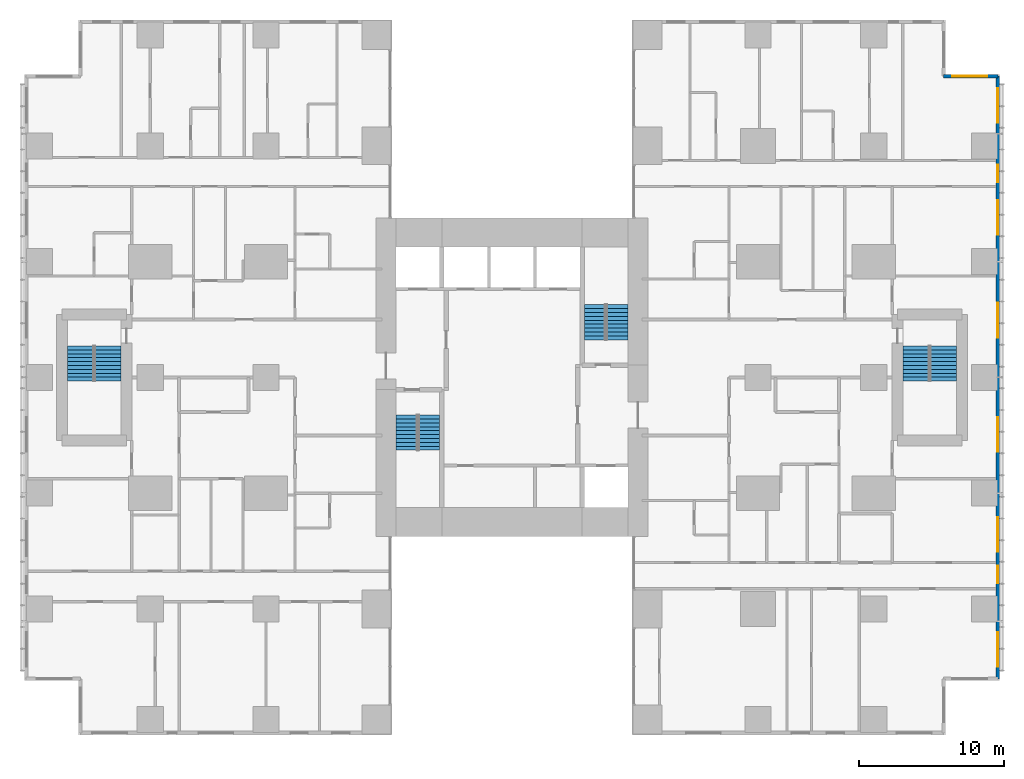
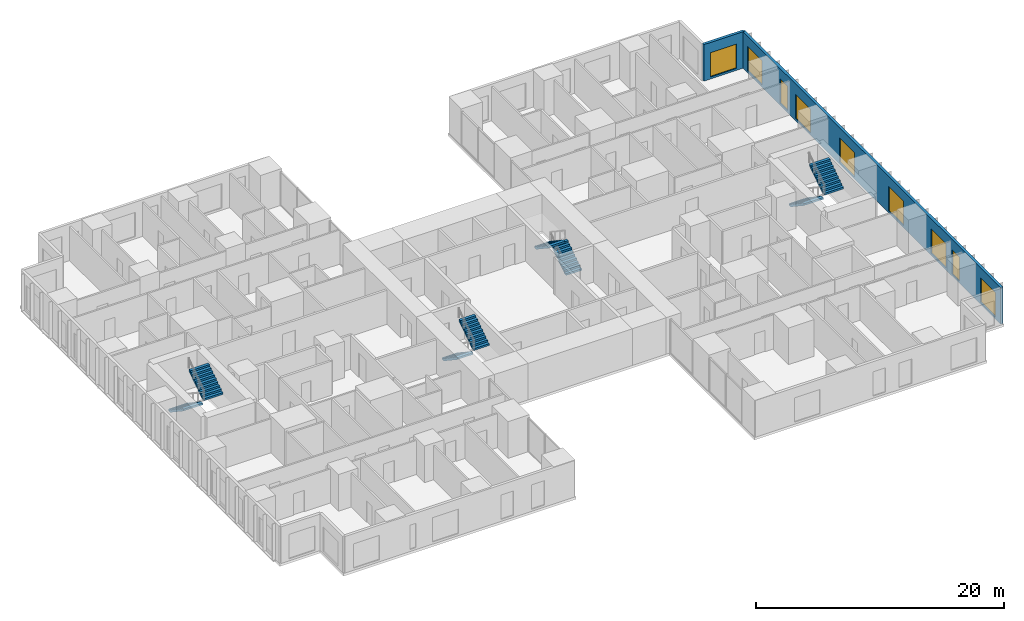
# One storey, part 19 of 20: 9 windows, 8 stair flights, 2 walls, 9 openings, 4 elements without a shape of their own.
"""IFC4 building model written with IfcOpenShell, lengths in metres."""

from ifc_helpers import new_model, si_unit, direction, frame, frame_2d, origin, place, context, subcontext, project, spatial, polyline, rectangle, outline, extrude, material, layer, layer_set, type_object, element, fill, aggregate, save


model = new_model("IFC4")

# Units and contexts
model_context = context("Model", 3, precision=1e-05, world=origin(), true_north=direction((0.0, 1.0)))
body_context = subcontext(model_context, "Body", "Model", "MODEL_VIEW")
ifc_project = project(units=[si_unit("LENGTHUNIT", "METRE"), si_unit("AREAUNIT", "SQUARE_METRE"), si_unit("VOLUMEUNIT", "CUBIC_METRE"), si_unit("PLANEANGLEUNIT", "RADIAN"), si_unit("MASSUNIT", "GRAM", prefix="KILO")], contexts=[model_context])

# Site, building, storey
site_placement = place(None, origin())
site = spatial("IfcSite", under=ifc_project, at=site_placement, CompositionType="ELEMENT")
building_placement = place(site_placement, origin())
building = spatial("IfcBuilding", under=site, at=building_placement, Name="Cleftline Residences", CompositionType="ELEMENT")
storey_placement = place(building_placement, frame((0.0, 0.0, 203.800048828125)))
storey = spatial("IfcBuildingStorey", under=building, at=storey_placement, Name="L53", CompositionType="ELEMENT", Elevation=203.800048828125)

# Wall, openings, windows
ifc_material_1 = material(Name="Rendered reinforced concrete blockwork", Category="masonry")
ifc_layer = layer(ifc_material_1, 0.25)
ifc_layer_set = layer_set([ifc_layer], Name="EXTERNAL WALL 250")
wall_type = type_object("IfcWallType", Name="EXTERNAL WALL 250", PredefinedType="SOLIDWALL", material=ifc_layer_set)
wall_1_placement = place(storey_placement, frame((66.574951171875, 3.175048828125, 0.0), z_axis=(0.0, 0.0, 1.0), x_axis=(0.0, 1.0, 0.0)))
wall_1 = element("IfcWall", 1, at=wall_1_placement, inside=storey, type_object=wall_type, Name="External wall", PredefinedType="SOLIDWALL", context=body_context, shape_type="SweptSolid", body=[
    extrude(rectangle(XDim=41.64990234375, YDim=0.25, at=frame_2d((20.824951171875, 0.0))), origin(), (0.0, 0.0, 1.0), 3.599853515625),
])
opening_1_placement = place(wall_1_placement, frame((0.824951171875, 0.0, 0.199951171875)))
opening_1 = element("IfcOpeningElement", 2, at=opening_1_placement, cuts=wall_1, Name="Opening W9", PredefinedType="OPENING", context=body_context, shape_type="SweptSolid", body=[
    extrude(rectangle(XDim=2.39990234375, YDim=2.39990234375, at=frame_2d((1.199951171875, 1.199951171875))), frame((0.0, 0.135009765625, 0.0), z_axis=(0.0, -1.0, 0.0), x_axis=(1.0, 0.0, 0.0)), (0.0, 0.0, 1.0), 0.27001953125),
])
opening_2_placement = place(wall_1_placement, frame((6.60009765625, 0.0, 0.199951171875)))
opening_2 = element("IfcOpeningElement", 3, at=opening_2_placement, cuts=wall_1, Name="Opening W13", PredefinedType="OPENING", context=body_context, shape_type="SweptSolid", body=[
    extrude(rectangle(XDim=1.199951171875, YDim=2.39990234375, at=frame_2d((0.60009765625, 1.199951171875))), frame((0.0, 0.135009765625, 0.0), z_axis=(0.0, -1.0, 0.0), x_axis=(1.0, 0.0, 0.0)), (0.0, 0.0, 1.0), 0.27001953125),
])
opening_3_placement = place(wall_1_placement, frame((8.77490234375, 0.0, 0.199951171875)))
opening_3 = element("IfcOpeningElement", 4, at=opening_3_placement, cuts=wall_1, Name="Opening W9", PredefinedType="OPENING", context=body_context, shape_type="SweptSolid", body=[
    extrude(rectangle(XDim=2.39990234375, YDim=2.39990234375, at=frame_2d((1.199951171875, 1.199951171875))), frame((0.0, 0.135009765625, 0.0), z_axis=(0.0, -1.0, 0.0), x_axis=(1.0, 0.0, 0.0)), (0.0, 0.0, 1.0), 0.27001953125),
])
opening_4_placement = place(wall_1_placement, frame((15.675048828125, 0.0, 0.199951171875)))
opening_4 = element("IfcOpeningElement", 5, at=opening_4_placement, cuts=wall_1, Name="Opening W9", PredefinedType="OPENING", context=body_context, shape_type="SweptSolid", body=[
    extrude(rectangle(XDim=2.39990234375, YDim=2.39990234375, at=frame_2d((1.199951171875, 1.199951171875))), frame((0.0, 0.135009765625, 0.0), z_axis=(0.0, -1.0, 0.0), x_axis=(1.0, 0.0, 0.0)), (0.0, 0.0, 1.0), 0.27001953125),
])
opening_5_placement = place(wall_1_placement, frame((23.574951171875, 0.0, 0.199951171875)))
opening_5 = element("IfcOpeningElement", 6, at=opening_5_placement, cuts=wall_1, Name="Opening W9", PredefinedType="OPENING", context=body_context, shape_type="SweptSolid", body=[
    extrude(rectangle(XDim=2.39990234375, YDim=2.39990234375, at=frame_2d((1.199951171875, 1.199951171875))), frame((0.0, 0.135009765625, 0.0), z_axis=(0.0, -1.0, 0.0), x_axis=(1.0, 0.0, 0.0)), (0.0, 0.0, 1.0), 0.27001953125),
])
opening_6_placement = place(wall_1_placement, frame((30.675048828125, 0.0, 0.199951171875)))
opening_6 = element("IfcOpeningElement", 7, at=opening_6_placement, cuts=wall_1, Name="Opening W9", PredefinedType="OPENING", context=body_context, shape_type="SweptSolid", body=[
    extrude(rectangle(XDim=2.39990234375, YDim=2.39990234375, at=frame_2d((1.199951171875, 1.199951171875))), frame((0.0, 0.135009765625, 0.0), z_axis=(0.0, -1.0, 0.0), x_axis=(1.0, 0.0, 0.0)), (0.0, 0.0, 1.0), 0.27001953125),
])
opening_7_placement = place(wall_1_placement, frame((34.324951171875, 0.0, 0.199951171875)))
opening_7 = element("IfcOpeningElement", 8, at=opening_7_placement, cuts=wall_1, Name="Opening W13", PredefinedType="OPENING", context=body_context, shape_type="SweptSolid", body=[
    extrude(rectangle(XDim=1.199951171875, YDim=2.39990234375, at=frame_2d((0.60009765625, 1.199951171875))), frame((0.0, 0.135009765625, 0.0), z_axis=(0.0, -1.0, 0.0), x_axis=(1.0, 0.0, 0.0)), (0.0, 0.0, 1.0), 0.27001953125),
])
opening_8_placement = place(wall_1_placement, frame((38.425048828125, 0.0, 0.199951171875)))
opening_8 = element("IfcOpeningElement", 9, at=opening_8_placement, cuts=wall_1, Name="Opening W9", PredefinedType="OPENING", context=body_context, shape_type="SweptSolid", body=[
    extrude(rectangle(XDim=2.39990234375, YDim=2.39990234375, at=frame_2d((1.199951171875, 1.199951171875))), frame((0.0, 0.135009765625, 0.0), z_axis=(0.0, -1.0, 0.0), x_axis=(1.0, 0.0, 0.0)), (0.0, 0.0, 1.0), 0.27001953125),
])
ifc_material_2 = material(Name="Aluminium frame, clear double glazing", Category="aluminium")
window_type_1 = type_object("IfcWindowType", Name="WINDOW 1200X2400", PartitioningType="DOUBLE_PANEL_VERTICAL", PredefinedType="WINDOW", material=ifc_material_2)
window_1_placement = place(opening_2_placement, origin())
window_1 = element("IfcWindow", 10, at=window_1_placement, inside=storey, type_object=window_type_1, Name="Window", OverallHeight=2.39990234375, OverallWidth=1.199951171875, PartitioningType="SINGLE_PANEL", PredefinedType="WINDOW", context=body_context, shape_type="SweptSolid", body=[
    extrude(rectangle(XDim=1.199951171875, YDim=2.39990234375, at=frame_2d((0.60009765625, 1.199951171875))), frame((0.0, 0.030029296875, 0.0), z_axis=(0.0, -1.0, 0.0), x_axis=(1.0, 0.0, 0.0)), (0.0, 0.0, 1.0), 0.06005859375),
])
fill(opening_2, window_1)
window_2_placement = place(opening_7_placement, origin())
window_2 = element("IfcWindow", 11, at=window_2_placement, inside=storey, type_object=window_type_1, Name="Window", OverallHeight=2.39990234375, OverallWidth=1.199951171875, PartitioningType="SINGLE_PANEL", PredefinedType="WINDOW", context=body_context, shape_type="SweptSolid", body=[
    extrude(rectangle(XDim=1.199951171875, YDim=2.39990234375, at=frame_2d((0.60009765625, 1.199951171875))), frame((0.0, 0.030029296875, 0.0), z_axis=(0.0, -1.0, 0.0), x_axis=(1.0, 0.0, 0.0)), (0.0, 0.0, 1.0), 0.06005859375),
])
fill(opening_7, window_2)
ifc_material_3 = material(Name="Aluminium frame, clear double glazing", Category="aluminium")
window_type_2 = type_object("IfcWindowType", Name="WINDOW 2400X2400", PartitioningType="DOUBLE_PANEL_VERTICAL", PredefinedType="WINDOW", material=ifc_material_3)
window_3_placement = place(opening_1_placement, origin())
window_3 = element("IfcWindow", 12, at=window_3_placement, inside=storey, type_object=window_type_2, Name="Window", OverallHeight=2.39990234375, OverallWidth=2.39990234375, PartitioningType="SINGLE_PANEL", PredefinedType="WINDOW", context=body_context, shape_type="SweptSolid", body=[
    extrude(rectangle(XDim=2.39990234375, YDim=2.39990234375, at=frame_2d((1.199951171875, 1.199951171875))), frame((0.0, 0.030029296875, 0.0), z_axis=(0.0, -1.0, 0.0), x_axis=(1.0, 0.0, 0.0)), (0.0, 0.0, 1.0), 0.06005859375),
])
fill(opening_1, window_3)
window_4_placement = place(opening_3_placement, origin())
window_4 = element("IfcWindow", 13, at=window_4_placement, inside=storey, type_object=window_type_2, Name="Window", OverallHeight=2.39990234375, OverallWidth=2.39990234375, PartitioningType="SINGLE_PANEL", PredefinedType="WINDOW", context=body_context, shape_type="SweptSolid", body=[
    extrude(rectangle(XDim=2.39990234375, YDim=2.39990234375, at=frame_2d((1.199951171875, 1.199951171875))), frame((0.0, 0.030029296875, 0.0), z_axis=(0.0, -1.0, 0.0), x_axis=(1.0, 0.0, 0.0)), (0.0, 0.0, 1.0), 0.06005859375),
])
fill(opening_3, window_4)
window_5_placement = place(opening_4_placement, origin())
window_5 = element("IfcWindow", 14, at=window_5_placement, inside=storey, type_object=window_type_2, Name="Window", OverallHeight=2.39990234375, OverallWidth=2.39990234375, PartitioningType="SINGLE_PANEL", PredefinedType="WINDOW", context=body_context, shape_type="SweptSolid", body=[
    extrude(rectangle(XDim=2.39990234375, YDim=2.39990234375, at=frame_2d((1.199951171875, 1.199951171875))), frame((0.0, 0.030029296875, 0.0), z_axis=(0.0, -1.0, 0.0), x_axis=(1.0, 0.0, 0.0)), (0.0, 0.0, 1.0), 0.06005859375),
])
fill(opening_4, window_5)
window_6_placement = place(opening_5_placement, origin())
window_6 = element("IfcWindow", 15, at=window_6_placement, inside=storey, type_object=window_type_2, Name="Window", OverallHeight=2.39990234375, OverallWidth=2.39990234375, PartitioningType="SINGLE_PANEL", PredefinedType="WINDOW", context=body_context, shape_type="SweptSolid", body=[
    extrude(rectangle(XDim=2.39990234375, YDim=2.39990234375, at=frame_2d((1.199951171875, 1.199951171875))), frame((0.0, 0.030029296875, 0.0), z_axis=(0.0, -1.0, 0.0), x_axis=(1.0, 0.0, 0.0)), (0.0, 0.0, 1.0), 0.06005859375),
])
fill(opening_5, window_6)
window_7_placement = place(opening_6_placement, origin())
window_7 = element("IfcWindow", 16, at=window_7_placement, inside=storey, type_object=window_type_2, Name="Window", OverallHeight=2.39990234375, OverallWidth=2.39990234375, PartitioningType="SINGLE_PANEL", PredefinedType="WINDOW", context=body_context, shape_type="SweptSolid", body=[
    extrude(rectangle(XDim=2.39990234375, YDim=2.39990234375, at=frame_2d((1.199951171875, 1.199951171875))), frame((0.0, 0.030029296875, 0.0), z_axis=(0.0, -1.0, 0.0), x_axis=(1.0, 0.0, 0.0)), (0.0, 0.0, 1.0), 0.06005859375),
])
fill(opening_6, window_7)
window_8_placement = place(opening_8_placement, origin())
window_8 = element("IfcWindow", 17, at=window_8_placement, inside=storey, type_object=window_type_2, Name="Window", OverallHeight=2.39990234375, OverallWidth=2.39990234375, PartitioningType="SINGLE_PANEL", PredefinedType="WINDOW", context=body_context, shape_type="SweptSolid", body=[
    extrude(rectangle(XDim=2.39990234375, YDim=2.39990234375, at=frame_2d((1.199951171875, 1.199951171875))), frame((0.0, 0.030029296875, 0.0), z_axis=(0.0, -1.0, 0.0), x_axis=(1.0, 0.0, 0.0)), (0.0, 0.0, 1.0), 0.06005859375),
])
fill(opening_8, window_8)

# Wall, opening, window
wall_2_placement = place(storey_placement, frame((66.574951171875, 44.824951171875, 0.0), z_axis=(0.0, 0.0, 1.0), x_axis=(-1.0, 0.0, 0.0)))
wall_2 = element("IfcWall", 18, at=wall_2_placement, inside=storey, type_object=wall_type, Name="External wall", PredefinedType="SOLIDWALL", context=body_context, shape_type="SweptSolid", body=[
    extrude(rectangle(XDim=3.75, YDim=0.25, at=frame_2d((1.875, 0.0))), origin(), (0.0, 0.0, 1.0), 3.599853515625),
])
opening_9_placement = place(wall_2_placement, frame((0.737548828125, 0.0, 0.199951171875)))
opening_9 = element("IfcOpeningElement", 19, at=opening_9_placement, cuts=wall_2, Name="Opening W9", PredefinedType="OPENING", context=body_context, shape_type="SweptSolid", body=[
    extrude(rectangle(XDim=2.39990234375, YDim=2.39990234375, at=frame_2d((1.199951171875, 1.199951171875))), frame((0.0, 0.135009765625, 0.0), z_axis=(0.0, -1.0, 0.0), x_axis=(1.0, 0.0, 0.0)), (0.0, 0.0, 1.0), 0.27001953125),
])
window_9_placement = place(opening_9_placement, origin())
window_9 = element("IfcWindow", 20, at=window_9_placement, inside=storey, type_object=window_type_2, Name="Window", OverallHeight=2.39990234375, OverallWidth=2.39990234375, PartitioningType="SINGLE_PANEL", PredefinedType="WINDOW", context=body_context, shape_type="SweptSolid", body=[
    extrude(rectangle(XDim=2.39990234375, YDim=2.39990234375, at=frame_2d((1.199951171875, 1.199951171875))), frame((0.0, 0.030029296875, 0.0), z_axis=(0.0, -1.0, 0.0), x_axis=(1.0, 0.0, 0.0)), (0.0, 0.0, 1.0), 0.06005859375),
])
fill(opening_9, window_9)

# Stair, stair flights
ifc_material_4 = material(Name="Concrete B45, stone treads", Category="masonry")
stair_type_1 = type_object("IfcStairType", Name="STAIR A 1450 WIDE 180 RISER", PredefinedType="HALF_TURN_STAIR", material=ifc_material_4)
stair_1_placement = place(storey_placement, origin())
stair_1 = element("IfcStair", 21, at=stair_1_placement, inside=storey, type_object=stair_type_1, Name="Stair A L53", PredefinedType="HALF_TURN_STAIR")
ifc_material_5 = material(Name="Concrete B45", Category="concrete")
stair_flight_type_1 = type_object("IfcStairFlightType", Name="STAIR A FLIGHT 1450X180", PredefinedType="STRAIGHT", material=ifc_material_5)
stair_flight_1_placement = place(storey_placement, frame((25.72509765625, 21.39990234375, 0.0), z_axis=(0.0, 0.0, 1.0), x_axis=(0.0, -1.0, 0.0)))
stair_flight_1 = element("IfcStairFlight", 22, at=stair_flight_1_placement, type_object=stair_flight_type_1, Name="ST-A flight 1", NumberOfRisers=10, NumberOfTreads=9, PredefinedType="STRAIGHT", RiserHeight=0.18, TreadLength=0.27, context=body_context, shape_type="SweptSolid", body=[
    extrude(outline(polyline([(0.0, 0.0), (0.0, 0.013916015625), (0.0, 0.027587890625), (0.0, 0.04150390625), (0.0, 0.055419921875), (0.0, 0.0693359375), (0.0, 0.0830078125), (0.0, 0.096923828125), (0.0, 0.11083984375), (0.0, 0.12451171875), (0.0, 0.138427734375), (0.0, 0.15234375), (0.0, 0.166259765625), (0.0, 0.179931640625), (0.27001953125, 0.179931640625), (0.27001953125, 0.360107421875), (0.5400390625, 0.360107421875), (0.5400390625, 0.5400390625), (0.81005859375, 0.5400390625), (0.81005859375, 0.719970703125), (1.080078125, 0.719970703125), (1.080078125, 0.89990234375), (1.35009765625, 0.89990234375), (1.35009765625, 1.080078125), (1.6201171875, 1.080078125), (1.6201171875, 1.260009765625), (1.889892578125, 1.260009765625), (1.889892578125, 1.43994140625), (2.159912109375, 1.43994140625), (2.159912109375, 1.6201171875), (2.429931640625, 1.6201171875), (2.429931640625, 1.800048828125), (2.429931640625, 1.772216796875), (2.429931640625, 1.74462890625), (2.429931640625, 1.716796875), (2.429931640625, 1.689208984375), (2.429931640625, 1.661376953125), (2.429931640625, 1.6337890625), (2.429931640625, 1.60595703125), (2.429931640625, 1.578369140625), (2.429931640625, 1.550537109375), (2.429931640625, 1.52294921875), (2.429931640625, 1.495361328125), (2.429931640625, 1.467529296875), (2.429931640625, 1.43994140625), (0.270263671875, 0.0), (0.0, 0.0)])), frame((0.0, 0.72509765625, 0.0), z_axis=(0.0, -1.0, 0.0), x_axis=(1.0, 0.0, 0.0)), (0.0, 0.0, 1.0), 1.449951171875),
])
stair_flight_2_placement = place(storey_placement, frame((27.27490234375, 18.969970703125, 1.800048828125), z_axis=(0.0, 0.0, 1.0), x_axis=(0.0, 1.0, 0.0)))
stair_flight_2 = element("IfcStairFlight", 23, at=stair_flight_2_placement, type_object=stair_flight_type_1, Name="ST-A flight 2", NumberOfRisers=10, NumberOfTreads=9, PredefinedType="STRAIGHT", RiserHeight=0.18, TreadLength=0.27, context=body_context, shape_type="SweptSolid", body=[
    extrude(outline(polyline([(0.0, 0.0), (0.0, 0.013916015625), (0.0, 0.027587890625), (0.0, 0.04150390625), (0.0, 0.055419921875), (0.0, 0.0693359375), (0.0, 0.0830078125), (0.0, 0.096923828125), (0.0, 0.11083984375), (0.0, 0.12451171875), (0.0, 0.138427734375), (0.0, 0.15234375), (0.0, 0.166259765625), (0.0, 0.179931640625), (0.27001953125, 0.179931640625), (0.27001953125, 0.360107421875), (0.5400390625, 0.360107421875), (0.5400390625, 0.5400390625), (0.81005859375, 0.5400390625), (0.81005859375, 0.719970703125), (1.080078125, 0.719970703125), (1.080078125, 0.89990234375), (1.35009765625, 0.89990234375), (1.35009765625, 1.080078125), (1.6201171875, 1.080078125), (1.6201171875, 1.260009765625), (1.889892578125, 1.260009765625), (1.889892578125, 1.43994140625), (2.159912109375, 1.43994140625), (2.159912109375, 1.6201171875), (2.429931640625, 1.6201171875), (2.429931640625, 1.800048828125), (2.429931640625, 1.772216796875), (2.429931640625, 1.74462890625), (2.429931640625, 1.716796875), (2.429931640625, 1.689208984375), (2.429931640625, 1.661376953125), (2.429931640625, 1.6337890625), (2.429931640625, 1.60595703125), (2.429931640625, 1.578369140625), (2.429931640625, 1.550537109375), (2.429931640625, 1.52294921875), (2.429931640625, 1.495361328125), (2.429931640625, 1.467529296875), (2.429931640625, 1.43994140625), (0.270263671875, 0.0), (0.0, 0.0)])), frame((0.0, 0.72509765625, 0.0), z_axis=(0.0, -1.0, 0.0), x_axis=(1.0, 0.0, 0.0)), (0.0, 0.0, 1.0), 1.449951171875),
])
aggregate(stair_1, [stair_flight_1, stair_flight_2])

ifc_material_6 = material(Name="Concrete B45, stone treads", Category="masonry")
stair_type_2 = type_object("IfcStairType", Name="STAIR B 1450 WIDE 180 RISER", PredefinedType="HALF_TURN_STAIR", material=ifc_material_6)
stair_2_placement = place(storey_placement, origin())
stair_2 = element("IfcStair", 24, at=stair_2_placement, inside=storey, type_object=stair_type_2, Name="Stair B L53", PredefinedType="HALF_TURN_STAIR")
ifc_material_7 = material(Name="Concrete B45", Category="concrete")
stair_flight_type_2 = type_object("IfcStairFlightType", Name="STAIR B FLIGHT 1450X180", PredefinedType="STRAIGHT", material=ifc_material_7)
stair_flight_3_placement = place(storey_placement, frame((40.27490234375, 26.60009765625, 0.0), z_axis=(0.0, 0.0, 1.0), x_axis=(0.0, 1.0, 0.0)))
stair_flight_3 = element("IfcStairFlight", 25, at=stair_flight_3_placement, type_object=stair_flight_type_2, Name="ST-B flight 1", NumberOfRisers=10, NumberOfTreads=9, PredefinedType="STRAIGHT", RiserHeight=0.18, TreadLength=0.27, context=body_context, shape_type="SweptSolid", body=[
    extrude(outline(polyline([(0.0, 0.0), (0.0, 0.013916015625), (0.0, 0.027587890625), (0.0, 0.04150390625), (0.0, 0.055419921875), (0.0, 0.0693359375), (0.0, 0.0830078125), (0.0, 0.096923828125), (0.0, 0.11083984375), (0.0, 0.12451171875), (0.0, 0.138427734375), (0.0, 0.15234375), (0.0, 0.166259765625), (0.0, 0.179931640625), (0.27001953125, 0.179931640625), (0.27001953125, 0.360107421875), (0.5400390625, 0.360107421875), (0.5400390625, 0.5400390625), (0.81005859375, 0.5400390625), (0.81005859375, 0.719970703125), (1.080078125, 0.719970703125), (1.080078125, 0.89990234375), (1.35009765625, 0.89990234375), (1.35009765625, 1.080078125), (1.6201171875, 1.080078125), (1.6201171875, 1.260009765625), (1.889892578125, 1.260009765625), (1.889892578125, 1.43994140625), (2.159912109375, 1.43994140625), (2.159912109375, 1.6201171875), (2.429931640625, 1.6201171875), (2.429931640625, 1.800048828125), (2.429931640625, 1.772216796875), (2.429931640625, 1.74462890625), (2.429931640625, 1.716796875), (2.429931640625, 1.689208984375), (2.429931640625, 1.661376953125), (2.429931640625, 1.6337890625), (2.429931640625, 1.60595703125), (2.429931640625, 1.578369140625), (2.429931640625, 1.550537109375), (2.429931640625, 1.52294921875), (2.429931640625, 1.495361328125), (2.429931640625, 1.467529296875), (2.429931640625, 1.43994140625), (0.270263671875, 0.0), (0.0, 0.0)])), frame((0.0, 0.72509765625, 0.0), z_axis=(0.0, -1.0, 0.0), x_axis=(1.0, 0.0, 0.0)), (0.0, 0.0, 1.0), 1.449951171875),
])
stair_flight_4_placement = place(storey_placement, frame((38.72509765625, 29.030029296875, 1.800048828125), z_axis=(0.0, 0.0, 1.0), x_axis=(0.0, -1.0, 0.0)))
stair_flight_4 = element("IfcStairFlight", 26, at=stair_flight_4_placement, type_object=stair_flight_type_2, Name="ST-B flight 2", NumberOfRisers=10, NumberOfTreads=9, PredefinedType="STRAIGHT", RiserHeight=0.18, TreadLength=0.27, context=body_context, shape_type="SweptSolid", body=[
    extrude(outline(polyline([(0.0, 0.0), (0.0, 0.013916015625), (0.0, 0.027587890625), (0.0, 0.04150390625), (0.0, 0.055419921875), (0.0, 0.0693359375), (0.0, 0.0830078125), (0.0, 0.096923828125), (0.0, 0.11083984375), (0.0, 0.12451171875), (0.0, 0.138427734375), (0.0, 0.15234375), (0.0, 0.166259765625), (0.0, 0.179931640625), (0.27001953125, 0.179931640625), (0.27001953125, 0.360107421875), (0.5400390625, 0.360107421875), (0.5400390625, 0.5400390625), (0.81005859375, 0.5400390625), (0.81005859375, 0.719970703125), (1.080078125, 0.719970703125), (1.080078125, 0.89990234375), (1.35009765625, 0.89990234375), (1.35009765625, 1.080078125), (1.6201171875, 1.080078125), (1.6201171875, 1.260009765625), (1.889892578125, 1.260009765625), (1.889892578125, 1.43994140625), (2.159912109375, 1.43994140625), (2.159912109375, 1.6201171875), (2.429931640625, 1.6201171875), (2.429931640625, 1.800048828125), (2.429931640625, 1.772216796875), (2.429931640625, 1.74462890625), (2.429931640625, 1.716796875), (2.429931640625, 1.689208984375), (2.429931640625, 1.661376953125), (2.429931640625, 1.6337890625), (2.429931640625, 1.60595703125), (2.429931640625, 1.578369140625), (2.429931640625, 1.550537109375), (2.429931640625, 1.52294921875), (2.429931640625, 1.495361328125), (2.429931640625, 1.467529296875), (2.429931640625, 1.43994140625), (0.270263671875, 0.0), (0.0, 0.0)])), frame((0.0, 0.72509765625, 0.0), z_axis=(0.0, -1.0, 0.0), x_axis=(1.0, 0.0, 0.0)), (0.0, 0.0, 1.0), 1.449951171875),
])
aggregate(stair_2, [stair_flight_3, stair_flight_4])

ifc_material_8 = material(Name="Concrete B45, stone treads", Category="masonry")
stair_type_3 = type_object("IfcStairType", Name="STAIR E 1800 WIDE 180 RISER", PredefinedType="HALF_TURN_STAIR", material=ifc_material_8)
stair_3_placement = place(storey_placement, origin())
stair_3 = element("IfcStair", 27, at=stair_3_placement, inside=storey, type_object=stair_type_3, Name="Stair E L53", PredefinedType="HALF_TURN_STAIR")
ifc_material_9 = material(Name="Concrete B45", Category="concrete")
stair_flight_type_3 = type_object("IfcStairFlightType", Name="STAIR E FLIGHT 1800X180", PredefinedType="STRAIGHT", material=ifc_material_9)
stair_flight_5_placement = place(storey_placement, frame((60.925048828125, 26.175048828125, 0.0), z_axis=(0.0, 0.0, 1.0), x_axis=(0.0, -1.0, 0.0)))
stair_flight_5 = element("IfcStairFlight", 28, at=stair_flight_5_placement, type_object=stair_flight_type_3, Name="ST-E flight 1", NumberOfRisers=10, NumberOfTreads=9, PredefinedType="STRAIGHT", RiserHeight=0.18, TreadLength=0.27, context=body_context, shape_type="SweptSolid", body=[
    extrude(outline(polyline([(0.0, 0.0), (0.0, 0.013916015625), (0.0, 0.027587890625), (0.0, 0.04150390625), (0.0, 0.055419921875), (0.0, 0.0693359375), (0.0, 0.0830078125), (0.0, 0.096923828125), (0.0, 0.11083984375), (0.0, 0.12451171875), (0.0, 0.138427734375), (0.0, 0.15234375), (0.0, 0.166259765625), (0.0, 0.179931640625), (0.27001953125, 0.179931640625), (0.27001953125, 0.360107421875), (0.5400390625, 0.360107421875), (0.5400390625, 0.5400390625), (0.81005859375, 0.5400390625), (0.81005859375, 0.719970703125), (1.080078125, 0.719970703125), (1.080078125, 0.89990234375), (1.35009765625, 0.89990234375), (1.35009765625, 1.080078125), (1.6201171875, 1.080078125), (1.6201171875, 1.260009765625), (1.889892578125, 1.260009765625), (1.889892578125, 1.43994140625), (2.159912109375, 1.43994140625), (2.159912109375, 1.6201171875), (2.429931640625, 1.6201171875), (2.429931640625, 1.800048828125), (2.429931640625, 1.772216796875), (2.429931640625, 1.74462890625), (2.429931640625, 1.716796875), (2.429931640625, 1.689208984375), (2.429931640625, 1.661376953125), (2.429931640625, 1.6337890625), (2.429931640625, 1.60595703125), (2.429931640625, 1.578369140625), (2.429931640625, 1.550537109375), (2.429931640625, 1.52294921875), (2.429931640625, 1.495361328125), (2.429931640625, 1.467529296875), (2.429931640625, 1.43994140625), (0.270263671875, 0.0), (0.0, 0.0)])), frame((0.0, 0.89990234375, 0.0), z_axis=(0.0, -1.0, 0.0), x_axis=(1.0, 0.0, 0.0)), (0.0, 0.0, 1.0), 1.800048828125),
])
stair_flight_6_placement = place(storey_placement, frame((62.824951171875, 23.7451171875, 1.800048828125), z_axis=(0.0, 0.0, 1.0), x_axis=(0.0, 1.0, 0.0)))
stair_flight_6 = element("IfcStairFlight", 29, at=stair_flight_6_placement, type_object=stair_flight_type_3, Name="ST-E flight 2", NumberOfRisers=10, NumberOfTreads=9, PredefinedType="STRAIGHT", RiserHeight=0.18, TreadLength=0.27, context=body_context, shape_type="SweptSolid", body=[
    extrude(outline(polyline([(0.0, 0.0), (0.0, 0.013916015625), (0.0, 0.027587890625), (0.0, 0.04150390625), (0.0, 0.055419921875), (0.0, 0.0693359375), (0.0, 0.0830078125), (0.0, 0.096923828125), (0.0, 0.11083984375), (0.0, 0.12451171875), (0.0, 0.138427734375), (0.0, 0.15234375), (0.0, 0.166259765625), (0.0, 0.179931640625), (0.27001953125, 0.179931640625), (0.27001953125, 0.360107421875), (0.5400390625, 0.360107421875), (0.5400390625, 0.5400390625), (0.81005859375, 0.5400390625), (0.81005859375, 0.719970703125), (1.080078125, 0.719970703125), (1.080078125, 0.89990234375), (1.35009765625, 0.89990234375), (1.35009765625, 1.080078125), (1.6201171875, 1.080078125), (1.6201171875, 1.260009765625), (1.889892578125, 1.260009765625), (1.889892578125, 1.43994140625), (2.159912109375, 1.43994140625), (2.159912109375, 1.6201171875), (2.429931640625, 1.6201171875), (2.429931640625, 1.800048828125), (2.429931640625, 1.772216796875), (2.429931640625, 1.74462890625), (2.429931640625, 1.716796875), (2.429931640625, 1.689208984375), (2.429931640625, 1.661376953125), (2.429931640625, 1.6337890625), (2.429931640625, 1.60595703125), (2.429931640625, 1.578369140625), (2.429931640625, 1.550537109375), (2.429931640625, 1.52294921875), (2.429931640625, 1.495361328125), (2.429931640625, 1.467529296875), (2.429931640625, 1.43994140625), (0.270263671875, 0.0), (0.0, 0.0)])), frame((0.0, 0.89990234375, 0.0), z_axis=(0.0, -1.0, 0.0), x_axis=(1.0, 0.0, 0.0)), (0.0, 0.0, 1.0), 1.800048828125),
])
aggregate(stair_3, [stair_flight_5, stair_flight_6])

ifc_material_10 = material(Name="Concrete B45, stone treads", Category="masonry")
stair_type_4 = type_object("IfcStairType", Name="STAIR W 1800 WIDE 180 RISER", PredefinedType="HALF_TURN_STAIR", material=ifc_material_10)
stair_4_placement = place(storey_placement, origin())
stair_4 = element("IfcStair", 30, at=stair_4_placement, inside=storey, type_object=stair_type_4, Name="Stair W L53", PredefinedType="HALF_TURN_STAIR")
ifc_material_11 = material(Name="Concrete B45", Category="concrete")
stair_flight_type_4 = type_object("IfcStairFlightType", Name="STAIR W FLIGHT 1800X180", PredefinedType="STRAIGHT", material=ifc_material_11)
stair_flight_7_placement = place(storey_placement, frame((3.175048828125, 26.175048828125, 0.0), z_axis=(0.0, 0.0, 1.0), x_axis=(0.0, -1.0, 0.0)))
stair_flight_7 = element("IfcStairFlight", 31, at=stair_flight_7_placement, type_object=stair_flight_type_4, Name="ST-W flight 1", NumberOfRisers=10, NumberOfTreads=9, PredefinedType="STRAIGHT", RiserHeight=0.18, TreadLength=0.27, context=body_context, shape_type="SweptSolid", body=[
    extrude(outline(polyline([(0.0, 0.0), (0.0, 0.013916015625), (0.0, 0.027587890625), (0.0, 0.04150390625), (0.0, 0.055419921875), (0.0, 0.0693359375), (0.0, 0.0830078125), (0.0, 0.096923828125), (0.0, 0.11083984375), (0.0, 0.12451171875), (0.0, 0.138427734375), (0.0, 0.15234375), (0.0, 0.166259765625), (0.0, 0.179931640625), (0.27001953125, 0.179931640625), (0.27001953125, 0.360107421875), (0.5400390625, 0.360107421875), (0.5400390625, 0.5400390625), (0.81005859375, 0.5400390625), (0.81005859375, 0.719970703125), (1.080078125, 0.719970703125), (1.080078125, 0.89990234375), (1.35009765625, 0.89990234375), (1.35009765625, 1.080078125), (1.6201171875, 1.080078125), (1.6201171875, 1.260009765625), (1.889892578125, 1.260009765625), (1.889892578125, 1.43994140625), (2.159912109375, 1.43994140625), (2.159912109375, 1.6201171875), (2.429931640625, 1.6201171875), (2.429931640625, 1.800048828125), (2.429931640625, 1.772216796875), (2.429931640625, 1.74462890625), (2.429931640625, 1.716796875), (2.429931640625, 1.689208984375), (2.429931640625, 1.661376953125), (2.429931640625, 1.6337890625), (2.429931640625, 1.60595703125), (2.429931640625, 1.578369140625), (2.429931640625, 1.550537109375), (2.429931640625, 1.52294921875), (2.429931640625, 1.495361328125), (2.429931640625, 1.467529296875), (2.429931640625, 1.43994140625), (0.270263671875, 0.0), (0.0, 0.0)])), frame((0.0, 0.89990234375, 0.0), z_axis=(0.0, -1.0, 0.0), x_axis=(1.0, 0.0, 0.0)), (0.0, 0.0, 1.0), 1.800048828125),
])
stair_flight_8_placement = place(storey_placement, frame((5.074951171875, 23.7451171875, 1.800048828125), z_axis=(0.0, 0.0, 1.0), x_axis=(0.0, 1.0, 0.0)))
stair_flight_8 = element("IfcStairFlight", 32, at=stair_flight_8_placement, type_object=stair_flight_type_4, Name="ST-W flight 2", NumberOfRisers=10, NumberOfTreads=9, PredefinedType="STRAIGHT", RiserHeight=0.18, TreadLength=0.27, context=body_context, shape_type="SweptSolid", body=[
    extrude(outline(polyline([(0.0, 0.0), (0.0, 0.013916015625), (0.0, 0.027587890625), (0.0, 0.04150390625), (0.0, 0.055419921875), (0.0, 0.0693359375), (0.0, 0.0830078125), (0.0, 0.096923828125), (0.0, 0.11083984375), (0.0, 0.12451171875), (0.0, 0.138427734375), (0.0, 0.15234375), (0.0, 0.166259765625), (0.0, 0.179931640625), (0.27001953125, 0.179931640625), (0.27001953125, 0.360107421875), (0.5400390625, 0.360107421875), (0.5400390625, 0.5400390625), (0.81005859375, 0.5400390625), (0.81005859375, 0.719970703125), (1.080078125, 0.719970703125), (1.080078125, 0.89990234375), (1.35009765625, 0.89990234375), (1.35009765625, 1.080078125), (1.6201171875, 1.080078125), (1.6201171875, 1.260009765625), (1.889892578125, 1.260009765625), (1.889892578125, 1.43994140625), (2.159912109375, 1.43994140625), (2.159912109375, 1.6201171875), (2.429931640625, 1.6201171875), (2.429931640625, 1.800048828125), (2.429931640625, 1.772216796875), (2.429931640625, 1.74462890625), (2.429931640625, 1.716796875), (2.429931640625, 1.689208984375), (2.429931640625, 1.661376953125), (2.429931640625, 1.6337890625), (2.429931640625, 1.60595703125), (2.429931640625, 1.578369140625), (2.429931640625, 1.550537109375), (2.429931640625, 1.52294921875), (2.429931640625, 1.495361328125), (2.429931640625, 1.467529296875), (2.429931640625, 1.43994140625), (0.270263671875, 0.0), (0.0, 0.0)])), frame((0.0, 0.89990234375, 0.0), z_axis=(0.0, -1.0, 0.0), x_axis=(1.0, 0.0, 0.0)), (0.0, 0.0, 1.0), 1.800048828125),
])
aggregate(stair_4, [stair_flight_7, stair_flight_8])

save(model, "model.ifc")
